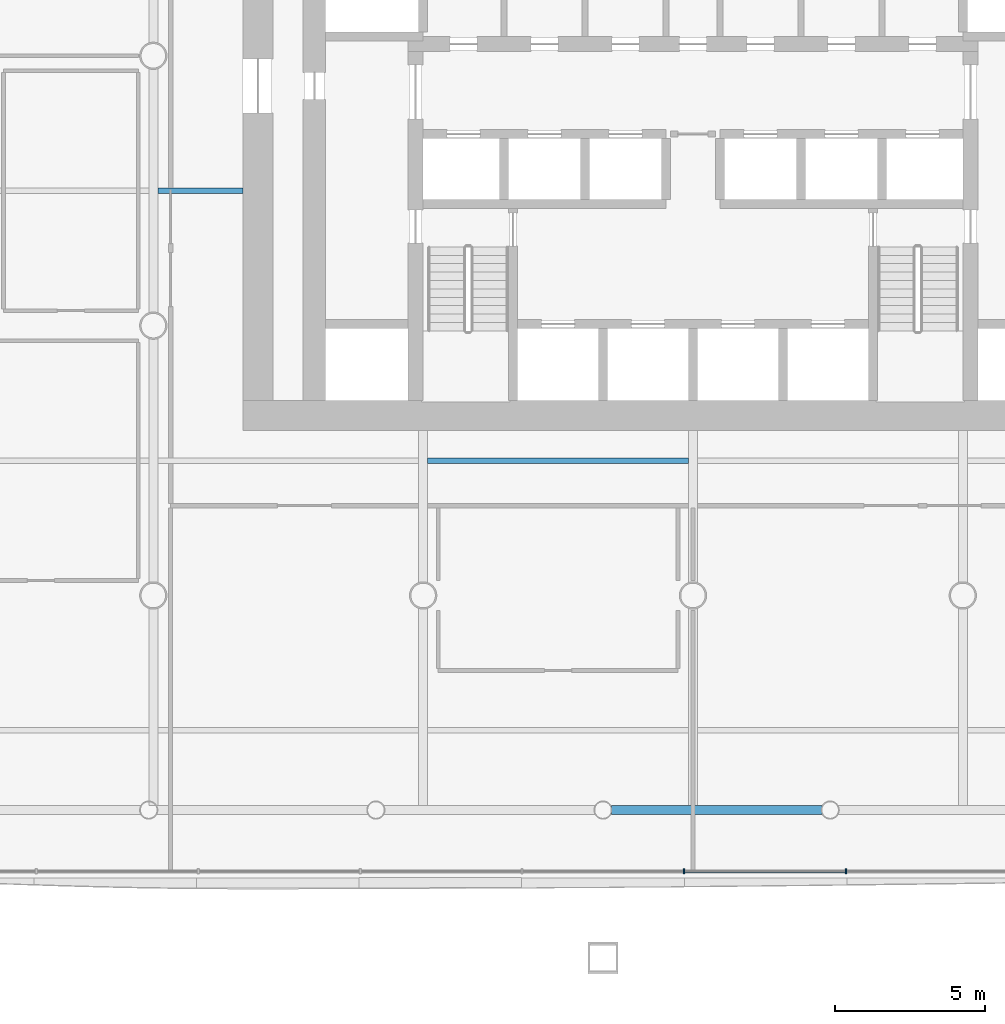
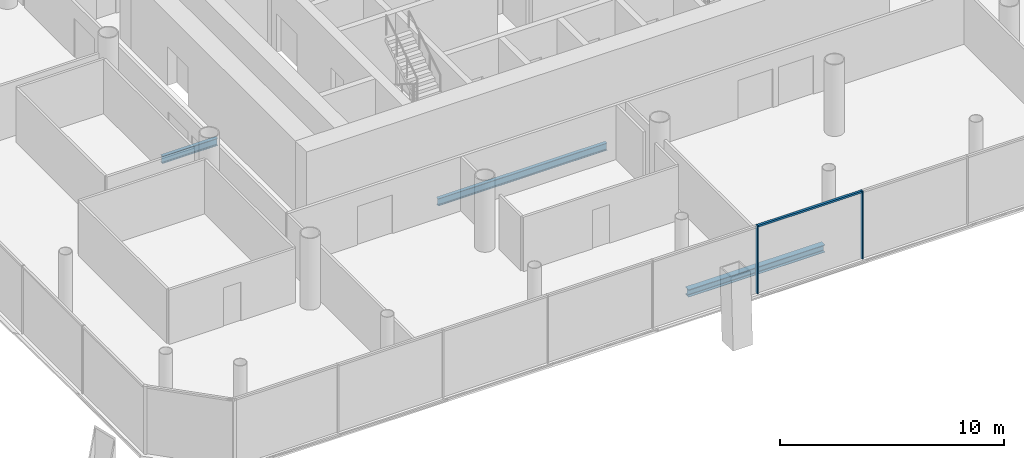
# One storey, part 5 of 22: 3 beams, 3 members, 1 element without a shape of its own.
"""IFC4 building model written with IfcOpenShell, lengths in metres."""

from ifc_helpers import new_model, si_unit, direction, frame, origin, origin_2d, place, context, subcontext, project, spatial, rectangle, i_section, extrude, material, material_profile, profile_set, type_object, element, aggregate, save


model = new_model("IFC4")

# Units and contexts
model_context = context("Model", 3, precision=1e-05, world=origin(), true_north=direction((0.0, 1.0)))
body_context = subcontext(model_context, "Body", "Model", "MODEL_VIEW")
ifc_project = project(units=[si_unit("LENGTHUNIT", "METRE"), si_unit("AREAUNIT", "SQUARE_METRE"), si_unit("VOLUMEUNIT", "CUBIC_METRE"), si_unit("PLANEANGLEUNIT", "RADIAN"), si_unit("MASSUNIT", "GRAM", prefix="KILO")], contexts=[model_context])

# Site, building, storey
site_placement = place(None, origin())
site = spatial("IfcSite", under=ifc_project, at=site_placement, CompositionType="ELEMENT")
building_placement = place(site_placement, origin())
building = spatial("IfcBuilding", under=site, at=building_placement, Name="Tskaro Facet Tower", CompositionType="ELEMENT")
storey_placement = place(building_placement, frame((0.0, 0.0, 26.39990234375)))
storey = spatial("IfcBuildingStorey", under=building, at=storey_placement, Name="L05", CompositionType="ELEMENT", Elevation=26.39990234375)

# Curtain wall, members
ifc_material_1 = material(Name="Bronze anodised aluminium 6063-T6", Category="aluminium")
curtain_wall_type = type_object("IfcCurtainWallType", Name="Bronze office curtain wall (FW1)", PredefinedType="NOTDEFINED", material=ifc_material_1)
curtain_wall_placement = place(storey_placement, origin())
curtain_wall = element("IfcCurtainWall", 1, at=curtain_wall_placement, inside=storey, type_object=curtain_wall_type, Name="FW1 south facet L05", PredefinedType="NOTDEFINED")
ifc_material_profile_1 = material_profile(ifc_material_1, rectangle(XDim=0.06005859375, YDim=0.159912109375, at=origin_2d()), Name="Mullion 60x160")
ifc_profile_set_1 = profile_set([ifc_material_profile_1], Name="Bronze anodised aluminium 6063-T6")
member_type_1 = type_object("IfcMemberType", Name="FW1 bronze mullion 60x160", PredefinedType="MULLION", material=ifc_profile_set_1)
member_1_placement = place(storey_placement, frame((-0.299560546875, -27.201904296875, 0.0), z_axis=(0.0, 0.0, 1.0), x_axis=(1.0, 0.0, 0.0)))
member_1 = element("IfcMember", 2, at=member_1_placement, type_object=member_type_1, Name="FW1 south mullion 5", PredefinedType="MULLION", context=body_context, shape_type="SweptSolid", body=[
    extrude(rectangle(XDim=0.06005859375, YDim=0.159912109375, at=origin_2d()), origin(), (0.0, 0.0, 1.0), 3.7001953125),
])
member_2_placement = place(storey_placement, frame((5.1015625, -27.201904296875, 0.0), z_axis=(0.0, 0.0, 1.0), x_axis=(1.0, 0.0, 0.0)))
member_2 = element("IfcMember", 3, at=member_2_placement, type_object=member_type_1, Name="FW1 south mullion 6", PredefinedType="MULLION", context=body_context, shape_type="SweptSolid", body=[
    extrude(rectangle(XDim=0.06005859375, YDim=0.159912109375, at=origin_2d()), origin(), (0.0, 0.0, 1.0), 3.7001953125),
])
ifc_material_profile_2 = material_profile(ifc_material_1, rectangle(XDim=0.1201171875, YDim=0.10009765625, at=origin_2d()), Name="Transom 120x100")
ifc_profile_set_2 = profile_set([ifc_material_profile_2], Name="Bronze anodised aluminium 6063-T6")
member_type_2 = type_object("IfcMemberType", Name="FW1 bronze transom 120x100", PredefinedType="USERDEFINED", material=ifc_profile_set_2)
member_3_placement = place(storey_placement, frame((-0.26953125, -27.201904296875, 3.650146484375), z_axis=(1.0, 0.0, 0.0), x_axis=(0.0, 1.0, 0.0)))
member_3 = element("IfcMember", 4, at=member_3_placement, type_object=member_type_2, Name="FW1 south transom 6.1", ObjectType="TRANSOM", PredefinedType="USERDEFINED", context=body_context, shape_type="SweptSolid", body=[
    extrude(rectangle(XDim=0.1201171875, YDim=0.10009765625, at=origin_2d()), origin(), (0.0, 0.0, 1.0), 5.34130859375),
])
aggregate(curtain_wall, [member_1, member_2, member_3])

# Beams
ifc_material_2 = material(Name="Steel S355J2", Category="steel")
ifc_material_profile_3 = material_profile(ifc_material_2, i_section(OverallWidth=0.300048828125, OverallDepth=0.39990234375, WebThickness=0.013427734375, FlangeThickness=0.02392578125, FilletRadius=0.027099609375, at=origin_2d()), Name="HE 400 B")
ifc_profile_set_3 = profile_set([ifc_material_profile_3], Name="Steel S355J2")
beam_type_1 = type_object("IfcBeamType", Name="HE 400 B ring beam", PredefinedType="BEAM", material=ifc_profile_set_3)
beam_1_placement = place(storey_placement, frame((-2.72509765625, -25.156982421875, -0.33984375), z_axis=(1.0, 0.0, 0.0), x_axis=(0.0, 1.0, 0.0)))
element("IfcBeam", 5, at=beam_1_placement, inside=storey, type_object=beam_type_1, Name="HE 400 B EB4-1", PredefinedType="BEAM", context=body_context, shape_type="SweptSolid", body=[
    extrude(i_section(OverallWidth=0.300048828125, OverallDepth=0.39990234375, WebThickness=0.013427734375, FlangeThickness=0.02392578125, FilletRadius=0.027099609375, at=origin_2d()), origin(), (0.0, 0.0, 1.0), 7.026123046875),
])
ifc_material_profile_4 = material_profile(ifc_material_2, i_section(OverallWidth=0.179931640625, OverallDepth=0.39990234375, WebThickness=0.008544921875, FlangeThickness=0.013427734375, FilletRadius=0.02099609375, at=origin_2d()), Name="IPE 400")
ifc_profile_set_4 = profile_set([ifc_material_profile_4], Name="Steel S355J2")
beam_type_2 = type_object("IfcBeamType", Name="IPE 400 secondary beam", PredefinedType="BEAM", material=ifc_profile_set_4)
beam_2_placement = place(storey_placement, frame((-8.85009765625, -13.5, -0.33984375), z_axis=(1.0, 0.0, 0.0), x_axis=(0.0, 1.0, 0.0)))
element("IfcBeam", 6, at=beam_2_placement, inside=storey, type_object=beam_type_2, Name="IPE 400 SB2a-3-1", PredefinedType="BEAM", context=body_context, shape_type="SweptSolid", body=[
    extrude(i_section(OverallWidth=0.179931640625, OverallDepth=0.39990234375, WebThickness=0.008544921875, FlangeThickness=0.013427734375, FilletRadius=0.02099609375, at=origin_2d()), origin(), (0.0, 0.0, 1.0), 8.7001953125),
])
beam_3_placement = place(storey_placement, frame((-17.85009765625, -4.5, -0.33984375), z_axis=(1.0, 0.0, 0.0), x_axis=(0.0, 1.0, 0.0)))
element("IfcBeam", 7, at=beam_3_placement, inside=storey, type_object=beam_type_2, Name="IPE 400 SB3a-2-1", PredefinedType="BEAM", context=body_context, shape_type="SweptSolid", body=[
    extrude(i_section(OverallWidth=0.179931640625, OverallDepth=0.39990234375, WebThickness=0.008544921875, FlangeThickness=0.013427734375, FilletRadius=0.02099609375, at=origin_2d()), origin(), (0.0, 0.0, 1.0), 2.85009765625),
])

save(model, "model.ifc")
